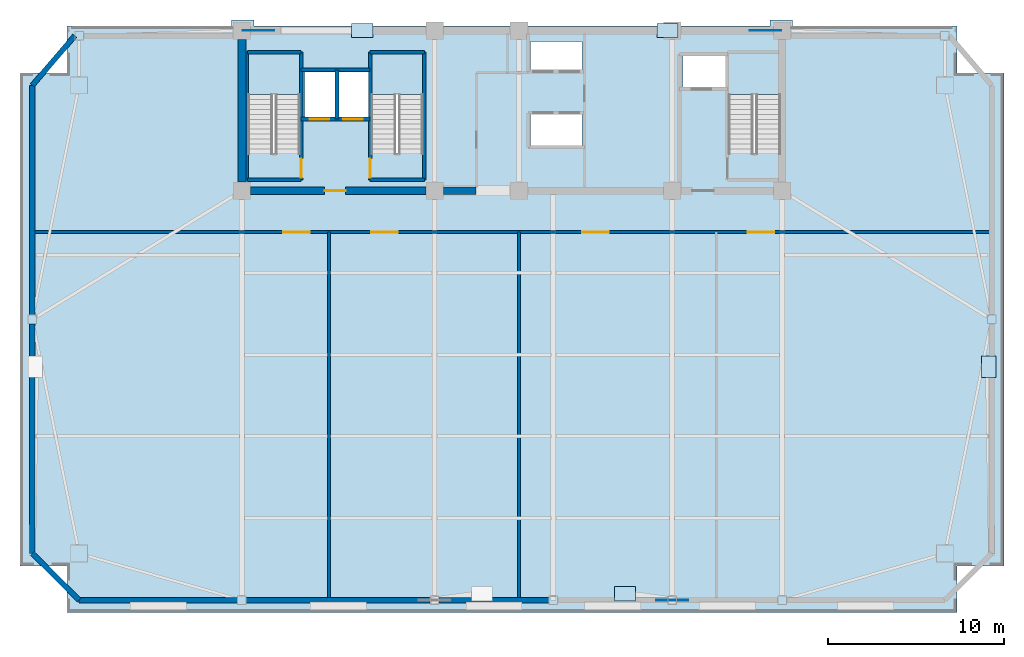
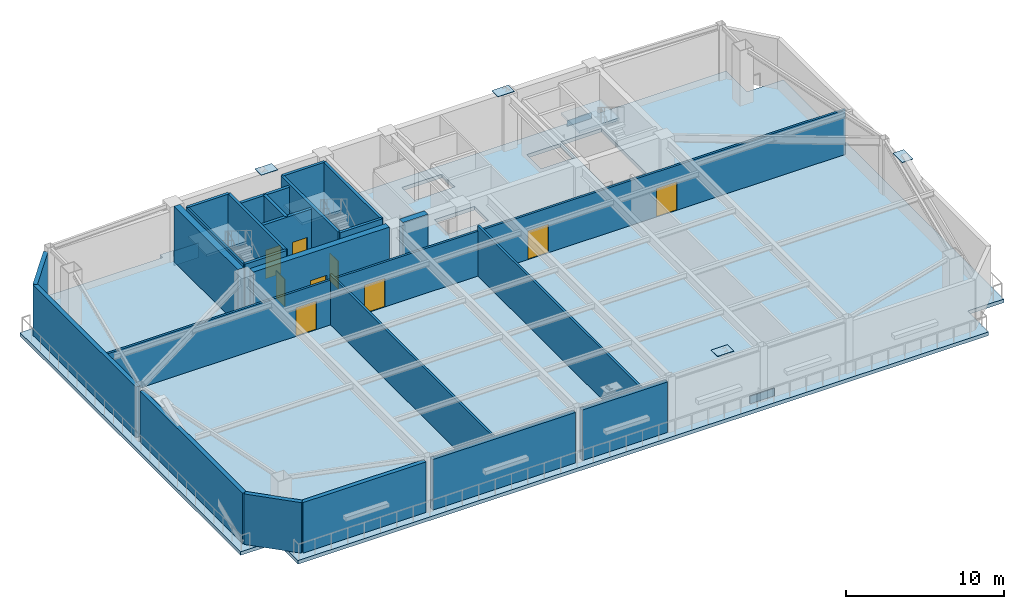
# One storey, part 2 of 9: 24 walls, 9 doors, 7 plates, 4 slabs, 9 openings, 3 elements without a shape of their own.
"""IFC4 building model written with IfcOpenShell, lengths in metres."""

from ifc_helpers import new_model, si_unit, direction, frame, frame_2d, origin, origin_2d, place, context, subcontext, project, spatial, polyline, rectangle, outline, extrude, source, transform, mapped, material, layer, layer_set, type_object, element, fill, aggregate, save


model = new_model("IFC4")

# Units and contexts
model_context = context("Model", 3, precision=1e-05, world=origin(), true_north=direction((0.0, 1.0)))
body_context = subcontext(model_context, "Body", "Model", "MODEL_VIEW")
ifc_project = project(units=[si_unit("LENGTHUNIT", "METRE"), si_unit("AREAUNIT", "SQUARE_METRE"), si_unit("VOLUMEUNIT", "CUBIC_METRE"), si_unit("PLANEANGLEUNIT", "RADIAN"), si_unit("MASSUNIT", "GRAM", prefix="KILO")], contexts=[model_context])

# Site, building, storey
site_placement = place(None, origin())
site = spatial("IfcSite", under=ifc_project, at=site_placement, CompositionType="ELEMENT")
building_placement = place(site_placement, origin())
building = spatial("IfcBuilding", under=site, at=building_placement, Name="Giltprow Tower", CompositionType="ELEMENT")
storey_placement = place(building_placement, frame((0.0, 0.0, 237.199951171875)))
storey = spatial("IfcBuildingStorey", under=building, at=storey_placement, Name="L60", CompositionType="ELEMENT", Elevation=237.199951171875)

# Slab
ifc_material_1 = material(Name="Concrete C40", Category="concrete")
ifc_layer_1 = layer(ifc_material_1, 0.280029296875, Name="Concrete C40")
ifc_layer_set_1 = layer_set([ifc_layer_1], Name="Concrete C40")
slab_type_1 = type_object("IfcSlabType", Name="SLB-REF-280", PredefinedType="FLOOR", material=ifc_layer_set_1)
slab_1_placement = place(storey_placement, frame((0.0, 0.0, -0.280029296875)))
element("IfcSlab", 1, at=slab_1_placement, inside=storey, type_object=slab_type_1, Name="L60 Structural Composite Floor Slab", PredefinedType="FLOOR", context=body_context, shape_type="SweptSolid", body=[
    extrude(outline(polyline([(63.152099609375, 44.138916015625), (63.152099609375, 16.14306640625), (60.490966796875, 16.14306640625), (60.490966796875, 13.48193359375), (9.908935546875, 13.48193359375), (9.908935546875, 16.14306640625), (7.248046875, 16.14306640625), (7.248046875, 44.138916015625), (9.908935546875, 44.138916015625), (9.908935546875, 46.800048828125), (19.25, 46.800048828125), (19.25, 47.14990234375), (20.550048828125, 47.14990234375), (20.550048828125, 46.800048828125), (49.85009765625, 46.800048828125), (49.85009765625, 47.14990234375), (51.14990234375, 47.14990234375), (51.14990234375, 46.800048828125), (60.490966796875, 46.800048828125), (60.490966796875, 44.138916015625), (63.152099609375, 44.138916015625)]), holes=[polyline([(39.18994140625, 41.800048828125), (36.239990234375, 41.800048828125), (36.239990234375, 40.0), (39.18994140625, 40.0), (39.18994140625, 41.800048828125)]), polyline([(23.159912109375, 45.25), (20.199951171875, 45.25), (20.199951171875, 39.570068359375), (23.159912109375, 39.570068359375), (23.159912109375, 45.25)]), polyline([(30.159912109375, 45.25), (27.199951171875, 45.25), (27.199951171875, 39.570068359375), (30.159912109375, 39.570068359375), (30.159912109375, 45.25)]), polyline([(50.4599609375, 45.25), (47.5, 45.25), (47.5, 39.570068359375), (50.4599609375, 39.570068359375), (50.4599609375, 45.25)]), polyline([(25.169921875, 44.199951171875), (23.449951171875, 44.199951171875), (23.449951171875, 41.60009765625), (25.169921875, 41.60009765625), (25.169921875, 44.199951171875)]), polyline([(27.10009765625, 44.199951171875), (25.35009765625, 44.199951171875), (25.35009765625, 41.60009765625), (27.10009765625, 41.60009765625), (27.10009765625, 44.199951171875)]), polyline([(47.3798828125, 45.10009765625), (44.919921875, 45.10009765625), (44.919921875, 43.300048828125), (47.3798828125, 43.300048828125), (47.3798828125, 45.10009765625)]), polyline([(39.18994140625, 45.919921875), (36.239990234375, 45.919921875), (36.239990234375, 44.300048828125), (39.18994140625, 44.300048828125), (39.18994140625, 45.919921875)])]), origin(), (0.0, 0.0, 1.0), 0.280029296875),
])

# Stair, slab
stair_type_1 = type_object("IfcStairType", Name="STR-ST-1", PredefinedType="HALF_TURN_STAIR", material=ifc_material_1)
stair_1_placement = place(storey_placement, origin())
stair_1 = element("IfcStair", 2, at=stair_1_placement, inside=storey, type_object=stair_type_1, Name="L60 Core Exit Stair ST-1", PredefinedType="HALF_TURN_STAIR")
ifc_layer_2 = layer(ifc_material_1, 0.179931640625, Name="Concrete C40")
ifc_layer_set_2 = layer_set([ifc_layer_2], Name="Concrete C40")
slab_type_2 = type_object("IfcSlabType", Name="SLD-ST-1", PredefinedType="LANDING", material=ifc_layer_set_2)
slab_2_placement = place(storey_placement, frame((0.0, 0.0, 2.070068359375)))
slab_2 = element("IfcSlab", 3, at=slab_2_placement, type_object=slab_type_2, Name="ST-1 landing 1", PredefinedType="LANDING", context=body_context, shape_type="SweptSolid", body=[
    extrude(outline(polyline([(23.159912109375, 42.909912109375), (23.159912109375, 45.25), (20.199951171875, 45.25), (20.199951171875, 42.909912109375), (23.159912109375, 42.909912109375)])), origin(), (0.0, 0.0, 1.0), 0.179931640625),
])
aggregate(stair_1, [slab_2])

stair_type_2 = type_object("IfcStairType", Name="STR-ST-2", PredefinedType="HALF_TURN_STAIR", material=ifc_material_1)
stair_2_placement = place(storey_placement, origin())
stair_2 = element("IfcStair", 4, at=stair_2_placement, inside=storey, type_object=stair_type_2, Name="L60 Core Exit Stair ST-2", PredefinedType="HALF_TURN_STAIR")
ifc_layer_3 = layer(ifc_material_1, 0.18798828125, Name="Concrete C40")
ifc_layer_set_3 = layer_set([ifc_layer_3], Name="Concrete C40")
slab_type_3 = type_object("IfcSlabType", Name="SLD-ST-2", PredefinedType="LANDING", material=ifc_layer_set_3)
slab_3_placement = place(storey_placement, frame((0.0, 0.0, 2.06201171875)))
slab_3 = element("IfcSlab", 5, at=slab_3_placement, type_object=slab_type_3, Name="ST-2 landing 1", PredefinedType="LANDING", context=body_context, shape_type="SweptSolid", body=[
    extrude(outline(polyline([(30.159912109375, 42.909912109375), (30.159912109375, 45.25), (27.199951171875, 45.25), (27.199951171875, 42.909912109375), (30.159912109375, 42.909912109375)])), origin(), (0.0, 0.0, 1.0), 0.18798828125),
])
aggregate(stair_2, [slab_3])

stair_type_3 = type_object("IfcStairType", Name="STR-ST-3", PredefinedType="HALF_TURN_STAIR", material=ifc_material_1)
stair_3_placement = place(storey_placement, origin())
stair_3 = element("IfcStair", 6, at=stair_3_placement, inside=storey, type_object=stair_type_3, Name="L60 Core Exit Stair ST-3", PredefinedType="HALF_TURN_STAIR")
ifc_layer_4 = layer(ifc_material_1, 0.196044921875, Name="Concrete C40")
ifc_layer_set_4 = layer_set([ifc_layer_4], Name="Concrete C40")
slab_type_4 = type_object("IfcSlabType", Name="SLD-ST-3", PredefinedType="LANDING", material=ifc_layer_set_4)
slab_4_placement = place(storey_placement, frame((0.0, 0.0, 2.053955078125)))
slab_4 = element("IfcSlab", 7, at=slab_4_placement, type_object=slab_type_4, Name="ST-3 landing 1", PredefinedType="LANDING", context=body_context, shape_type="SweptSolid", body=[
    extrude(outline(polyline([(50.4599609375, 42.909912109375), (50.4599609375, 45.25), (47.5, 45.25), (47.5, 42.909912109375), (50.4599609375, 42.909912109375)])), origin(), (0.0, 0.0, 1.0), 0.196044921875),
])
aggregate(stair_3, [slab_4])

# Plates
ifc_material_2 = material(Name="Structural steel Q420GJC", Category="steel")
plate_type_1 = type_object("IfcPlateType", Name="PLT-NODE-MBN1", PredefinedType="USERDEFINED", material=ifc_material_2)
shared_shape_1 = source(origin(), body_context, "Body", "SweptSolid", [
    extrude(rectangle(XDim=1.800048828125, YDim=0.050048828125, at=origin_2d()), origin(), (0.0, 0.0, 1.0), 1.14990234375),
])
for number, where, z_axis, x_axis, name in (
    (8, (44.300048828125, 14.181884765625, -0.574951171875), (0.0, 0.0, 1.0), (1.0, 0.0, 0.0), "Mega-Brace Node L60-S-RA"),
    (9, (20.800048828125, 46.550048828125, -0.71484375), (0.0, 0.0, 1.0), (1.0, 0.0, 0.0), "Mega-Brace Node L60-N-LA"),
    (10, (49.60009765625, 46.550048828125, -0.71484375), (0.0, 0.0, 1.0), (1.0, 0.0, 0.0), "Mega-Brace Node L60-N-RA"),
):
    element("IfcPlate", number, at=place(storey_placement, frame(where, z_axis=z_axis, x_axis=x_axis)), inside=storey, type_object=plate_type_1, Name=name, ObjectType="GUSSET", PredefinedType="USERDEFINED", context=body_context, shape_type="MappedRepresentation", body=[
        mapped(shared_shape_1, transform((0.0, 0.0, 0.0), x_axis=(1.0, 0.0, 0.0), y_axis=(0.0, 1.0, 0.0), z_axis=(0.0, 0.0, 1.0), scale=1.0)),
    ])
plate_type_2 = type_object("IfcPlateType", Name="PLT-CAP-SEAL", PredefinedType="USERDEFINED", material=ifc_material_2)
shared_shape_2 = source(origin(), body_context, "Body", "SweptSolid", [
    extrude(rectangle(XDim=1.199951171875, YDim=0.800048828125, at=origin_2d()), origin(), (0.0, 0.0, 1.0), 0.034912109375),
])
for number, where, z_axis, x_axis, name in (
    (11, (41.612060546875, 14.552978515625, 4.482421875), (0.0, 0.0, 1.0), (1.0, 0.0, 0.0), "Mega-Brace Node L60-S-RB"),
    (12, (26.694091796875, 46.550048828125, 4.3427734375), (0.0, 0.0, 1.0), (1.0, 0.0, 0.0), "Mega-Brace Node L60-N-LB"),
    (13, (44.02490234375, 46.550048828125, 4.3427734375), (0.0, 0.0, 1.0), (1.0, 0.0, 0.0), "Mega-Brace Node L60-N-RB"),
    (14, (62.287109375, 27.452880859375, 4.482421875), (0.0, 0.0, 1.0), (0.0, 1.0, 0.0), "Mega-Brace Node L60-E-DB"),
):
    element("IfcPlate", number, at=place(storey_placement, frame(where, z_axis=z_axis, x_axis=x_axis)), inside=storey, type_object=plate_type_2, Name=name, ObjectType="SPLICE", PredefinedType="USERDEFINED", context=body_context, shape_type="MappedRepresentation", body=[
        mapped(shared_shape_2, transform((0.0, 0.0, 0.0), x_axis=(1.0, 0.0, 0.0), y_axis=(0.0, 1.0, 0.0), z_axis=(0.0, 0.0, 1.0), scale=1.0)),
    ])

# Walls
ifc_material_3 = material(Name="Precast concrete C40", Category="concrete")
ifc_layer_5 = layer(ifc_material_3, 0.300048828125, Name="Precast concrete C40")
ifc_layer_set_5 = layer_set([ifc_layer_5], Name="Precast concrete C40")
wall_type_1 = type_object("IfcWallType", Name="EW-NOTCH-CHAMFER-300", PredefinedType="SOLIDWALL", material=ifc_layer_set_5)
wall_1_placement = place(storey_placement, frame((7.947998046875, 16.843017578125, 0.0), z_axis=(0.0, 0.0, 1.0), x_axis=(0.707074342864, -0.707139218021, 0.0)))
element("IfcWall", 15, at=wall_1_placement, inside=storey, type_object=wall_type_1, Name="L60 Corner Notch Wall SW", PredefinedType="SOLIDWALL", context=body_context, shape_type="SweptSolid", body=[
    extrude(rectangle(XDim=3.76318359375, YDim=0.300048828125, at=frame_2d((1.881591796875, 0.0))), origin(), (0.0, 0.0, 1.0), 3.9150390625),
])
wall_2_placement = place(storey_placement, frame((10.35888671875, 46.25, 0.0), z_axis=(0.0, 0.0, 1.0), x_axis=(-0.651013940872, -0.759065773692, 0.0)))
element("IfcWall", 16, at=wall_2_placement, inside=storey, type_object=wall_type_1, Name="L60 Corner Notch Wall NW", PredefinedType="SOLIDWALL", context=body_context, shape_type="SweptSolid", body=[
    extrude(rectangle(XDim=3.703369140625, YDim=0.300048828125, at=frame_2d((1.8515625, 0.0))), origin(), (0.0, 0.0, 1.0), 3.9150390625),
])
ifc_layer_6 = layer(ifc_material_3, 0.300048828125, Name="Precast concrete C40")
ifc_layer_set_6 = layer_set([ifc_layer_6], Name="Precast concrete C40")
wall_type_2 = type_object("IfcWallType", Name="EW-REF-LOUVRE-300", PredefinedType="SOLIDWALL", material=ifc_layer_set_6)
wall_3_placement = place(storey_placement, frame((10.60888671875, 14.181884765625, 0.0), z_axis=(0.0, 0.0, 1.0), x_axis=(1.0, 0.0, 0.0)))
element("IfcWall", 17, at=wall_3_placement, inside=storey, type_object=wall_type_2, Name="L60 South Expressed Frame Wall 1", PredefinedType="SOLIDWALL", context=body_context, shape_type="SweptSolid", body=[
    extrude(rectangle(XDim=8.9912109375, YDim=0.300048828125, at=frame_2d((4.49560546875, 0.0))), origin(), (0.0, 0.0, 1.0), 3.9150390625),
])
wall_4_placement = place(storey_placement, frame((20.10009765625, 14.181884765625, 0.0), z_axis=(0.0, 0.0, 1.0), x_axis=(1.0, 0.0, 0.0)))
element("IfcWall", 18, at=wall_4_placement, inside=storey, type_object=wall_type_2, Name="L60 South Expressed Frame Wall 2", PredefinedType="SOLIDWALL", context=body_context, shape_type="SweptSolid", body=[
    extrude(rectangle(XDim=10.449951171875, YDim=0.300048828125, at=frame_2d((5.22509765625, 0.0))), origin(), (0.0, 0.0, 1.0), 3.9150390625),
])
wall_5_placement = place(storey_placement, frame((31.050048828125, 14.181884765625, 0.0), z_axis=(0.0, 0.0, 1.0), x_axis=(1.0, 0.0, 0.0)))
element("IfcWall", 19, at=wall_5_placement, inside=storey, type_object=wall_type_2, Name="L60 South Expressed Frame Wall 3", PredefinedType="SOLIDWALL", context=body_context, shape_type="SweptSolid", body=[
    extrude(rectangle(XDim=6.25, YDim=0.300048828125, at=frame_2d((3.125, 0.0))), origin(), (0.0, 0.0, 1.0), 3.9150390625),
])
wall_6_placement = place(storey_placement, frame((7.947998046875, 16.843017578125, 0.0), z_axis=(0.0, 0.0, 1.0), x_axis=(0.0, 1.0, 0.0)))
element("IfcWall", 20, at=wall_6_placement, inside=storey, type_object=wall_type_2, Name="L60 W Wing Masonry Wall 1", PredefinedType="SOLIDWALL", context=body_context, shape_type="SweptSolid", body=[
    extrude(rectangle(XDim=13.048095703125, YDim=0.300048828125, at=frame_2d((6.52392578125, 0.0))), origin(), (0.0, 0.0, 1.0), 3.9150390625),
])
wall_7_placement = place(storey_placement, frame((7.947998046875, 30.39111328125, 0.0), z_axis=(0.0, 0.0, 1.0), x_axis=(0.0, 1.0, 0.0)))
element("IfcWall", 21, at=wall_7_placement, inside=storey, type_object=wall_type_2, Name="L60 W Wing Masonry Wall 2", PredefinedType="SOLIDWALL", context=body_context, shape_type="SweptSolid", body=[
    extrude(rectangle(XDim=13.0478515625, YDim=0.300048828125, at=frame_2d((6.52392578125, 0.0))), origin(), (0.0, 0.0, 1.0), 3.9150390625),
])

# Wall, openings, doors
ifc_material_4 = material(Name="Gypsum stud partition", Category="gypsum")
ifc_layer_7 = layer(ifc_material_4, 0.159912109375, Name="Gypsum stud partition")
ifc_layer_set_7 = layer_set([ifc_layer_7], Name="Gypsum stud partition")
wall_type_3 = type_object("IfcWallType", Name="IW-DEMISE-160", PredefinedType="PARTITIONING", material=ifc_layer_set_7)
wall_8_placement = place(storey_placement, frame((7.947998046875, 35.10009765625, 0.0), z_axis=(0.0, 0.0, 1.0), x_axis=(1.0, 0.0, 0.0)))
wall_8 = element("IfcWall", 22, at=wall_8_placement, inside=storey, type_object=wall_type_3, Name="L60 Refuge and Plant Corridor Wall", PredefinedType="PARTITIONING", context=body_context, shape_type="SweptSolid", body=[
    extrude(rectangle(XDim=54.50390625, YDim=0.159912109375, at=frame_2d((27.251953125, 0.0))), origin(), (0.0, 0.0, 1.0), 3.469970703125),
])
opening_1_placement = place(wall_8_placement, frame((14.251953125, 0.0, 0.0)))
opening_1 = element("IfcOpeningElement", 23, at=opening_1_placement, cuts=wall_8, Name="Opening ID25", PredefinedType="OPENING", context=body_context, shape_type="SweptSolid", body=[
    extrude(rectangle(XDim=1.5, YDim=2.199951171875, at=frame_2d((0.75, 1.10009765625))), frame((0.0, 0.08984375, 0.0), z_axis=(0.0, -1.0, 0.0), x_axis=(1.0, 0.0, 0.0)), (0.0, 0.0, 1.0), 0.179931640625),
])
opening_2_placement = place(wall_8_placement, frame((19.251953125, 0.0, 0.0)))
opening_2 = element("IfcOpeningElement", 24, at=opening_2_placement, cuts=wall_8, Name="Opening ID25", PredefinedType="OPENING", context=body_context, shape_type="SweptSolid", body=[
    extrude(rectangle(XDim=1.5, YDim=2.199951171875, at=frame_2d((0.75, 1.10009765625))), frame((0.0, 0.08984375, 0.0), z_axis=(0.0, -1.0, 0.0), x_axis=(1.0, 0.0, 0.0)), (0.0, 0.0, 1.0), 0.179931640625),
])
opening_3_placement = place(wall_8_placement, frame((31.251953125, 0.0, 0.0)))
opening_3 = element("IfcOpeningElement", 25, at=opening_3_placement, cuts=wall_8, Name="Opening ID25", PredefinedType="OPENING", context=body_context, shape_type="SweptSolid", body=[
    extrude(rectangle(XDim=1.5, YDim=2.199951171875, at=frame_2d((0.75, 1.10009765625))), frame((0.0, 0.08984375, 0.0), z_axis=(0.0, -1.0, 0.0), x_axis=(1.0, 0.0, 0.0)), (0.0, 0.0, 1.0), 0.179931640625),
])
opening_4_placement = place(wall_8_placement, frame((40.652099609375, 0.0, 0.0)))
opening_4 = element("IfcOpeningElement", 26, at=opening_4_placement, cuts=wall_8, Name="Opening ID25", PredefinedType="OPENING", context=body_context, shape_type="SweptSolid", body=[
    extrude(rectangle(XDim=1.5, YDim=2.199951171875, at=frame_2d((0.75, 1.10009765625))), frame((0.0, 0.08984375, 0.0), z_axis=(0.0, -1.0, 0.0), x_axis=(1.0, 0.0, 0.0)), (0.0, 0.0, 1.0), 0.179931640625),
])
ifc_material_5 = material(Name="Steel fire leaf", Category="steel")
door_type_1 = type_object("IfcDoorType", Name="DR-PLANT-1500", OperationType="DOUBLE_SWING_LEFT", PredefinedType="DOOR", material=ifc_material_5)
shared_shape_3 = source(origin(), body_context, "Body", "SweptSolid", [
    extrude(rectangle(XDim=1.5, YDim=2.199951171875, at=frame_2d((0.75, 1.10009765625))), frame((0.0, 0.02490234375, 0.0), z_axis=(0.0, -1.0, 0.0), x_axis=(1.0, 0.0, 0.0)), (0.0, 0.0, 1.0), 0.050048828125),
])
door_1_placement = place(opening_1_placement, origin())
door_1 = element("IfcDoor", 27, at=door_1_placement, inside=storey, type_object=door_type_1, Name="L60 Pressurized Fire Refuge Holding Area West Door", OperationType="DOUBLE_SWING_LEFT", OverallHeight=2.199951171875, OverallWidth=1.5, PredefinedType="DOOR", context=body_context, shape_type="MappedRepresentation", body=[
    mapped(shared_shape_3, transform((0.0, 0.0, 0.0), x_axis=(1.0, 0.0, 0.0), y_axis=(0.0, 1.0, 0.0), z_axis=(0.0, 0.0, 1.0), scale=1.0)),
])
fill(opening_1, door_1)
door_2_placement = place(opening_2_placement, origin())
door_2 = element("IfcDoor", 28, at=door_2_placement, inside=storey, type_object=door_type_1, Name="L60 Zone Air Handling and Smoke Dampers Plant Door", OperationType="DOUBLE_SWING_LEFT", OverallHeight=2.199951171875, OverallWidth=1.5, PredefinedType="DOOR", context=body_context, shape_type="MappedRepresentation", body=[
    mapped(shared_shape_3, transform((0.0, 0.0, 0.0), x_axis=(1.0, 0.0, 0.0), y_axis=(0.0, 1.0, 0.0), z_axis=(0.0, 0.0, 1.0), scale=1.0)),
])
fill(opening_2, door_2)
door_3_placement = place(opening_3_placement, origin())
door_3 = element("IfcDoor", 29, at=door_3_placement, inside=storey, type_object=door_type_1, Name="L60 High-Zone Heat Exchanger and Pump Plant Door", OperationType="DOUBLE_SWING_LEFT", OverallHeight=2.199951171875, OverallWidth=1.5, PredefinedType="DOOR", context=body_context, shape_type="MappedRepresentation", body=[
    mapped(shared_shape_3, transform((0.0, 0.0, 0.0), x_axis=(1.0, 0.0, 0.0), y_axis=(0.0, 1.0, 0.0), z_axis=(0.0, 0.0, 1.0), scale=1.0)),
])
fill(opening_3, door_3)
door_4_placement = place(opening_4_placement, origin())
door_4 = element("IfcDoor", 30, at=door_4_placement, inside=storey, type_object=door_type_1, Name="L60 Pressurized Fire Refuge Holding Area East Door", OperationType="DOUBLE_SWING_LEFT", OverallHeight=2.199951171875, OverallWidth=1.5, PredefinedType="DOOR", context=body_context, shape_type="MappedRepresentation", body=[
    mapped(shared_shape_3, transform((0.0, 0.0, 0.0), x_axis=(1.0, 0.0, 0.0), y_axis=(0.0, 1.0, 0.0), z_axis=(0.0, 0.0, 1.0), scale=1.0)),
])
fill(opening_4, door_4)

# Walls
for number, where, z_axis, x_axis, name in (
    (31, (24.800048828125, 14.181884765625, 0.0), (0.0, 0.0, 1.0), (0.0, 1.0, 0.0), "L60 Refuge Compartment Wall 1"),
    (32, (35.60009765625, 14.181884765625, 0.0), (0.0, 0.0, 1.0), (0.0, 1.0, 0.0), "L60 Refuge Compartment Wall 2"),
):
    element("IfcWall", number, at=place(storey_placement, frame(where, z_axis=z_axis, x_axis=x_axis)), inside=storey, type_object=wall_type_3, Name=name, PredefinedType="PARTITIONING", context=body_context, shape_type="SweptSolid", body=[
        extrude(rectangle(XDim=20.918212890625, YDim=0.159912109375, at=frame_2d((10.458984375, 0.0))), origin(), (0.0, 0.0, 1.0), 3.8701171875),
    ])

# Wall, openings, doors
ifc_layer_8 = layer(ifc_material_1, 0.219970703125, Name="Concrete C40")
ifc_layer_set_8 = layer_set([ifc_layer_8], Name="Concrete C40")
wall_type_4 = type_object("IfcWallType", Name="IW-SHAFT-220", PredefinedType="SOLIDWALL", material=ifc_layer_set_8)
wall_9_placement = place(storey_placement, frame((23.219970703125, 41.52001953125, 0.0), z_axis=(0.0, 0.0, 1.0), x_axis=(1.0, 0.0, 0.0)))
wall_9 = element("IfcWall", 33, at=wall_9_placement, inside=storey, type_object=wall_type_4, Name="L60 FFL1 and Service Lift Front Wall", PredefinedType="SOLIDWALL", context=body_context, shape_type="SweptSolid", body=[
    extrude(rectangle(XDim=3.919921875, YDim=0.219970703125, at=frame_2d((1.9599609375, 0.0))), origin(), (0.0, 0.0, 1.0), 4.28515625),
])
opening_5_placement = place(wall_9_placement, frame((0.5, 0.0, 0.0)))
opening_5 = element("IfcOpeningElement", 34, at=opening_5_placement, cuts=wall_9, Name="Opening LD-11", PredefinedType="OPENING", context=body_context, shape_type="SweptSolid", body=[
    extrude(rectangle(XDim=1.10009765625, YDim=2.199951171875, at=frame_2d((0.550048828125, 1.10009765625))), frame((0.0, 0.119873046875, 0.0), z_axis=(0.0, -1.0, 0.0), x_axis=(1.0, 0.0, 0.0)), (0.0, 0.0, 1.0), 0.239990234375),
])
opening_6_placement = place(wall_9_placement, frame((2.39990234375, 0.0, 0.0)))
opening_6 = element("IfcOpeningElement", 35, at=opening_6_placement, cuts=wall_9, Name="Opening LD-11", PredefinedType="OPENING", context=body_context, shape_type="SweptSolid", body=[
    extrude(rectangle(XDim=1.10009765625, YDim=2.199951171875, at=frame_2d((0.550048828125, 1.10009765625))), frame((0.0, 0.119873046875, 0.0), z_axis=(0.0, -1.0, 0.0), x_axis=(1.0, 0.0, 0.0)), (0.0, 0.0, 1.0), 0.239990234375),
])
ifc_material_6 = material(Name="Stainless steel", Category="steel")
door_type_2 = type_object("IfcDoorType", Name="DR-LIFT-LD1100", OperationType="SLIDING_TO_LEFT", PredefinedType="DOOR", material=ifc_material_6)
shared_shape_4 = source(origin(), body_context, "Body", "SweptSolid", [
    extrude(rectangle(XDim=1.10009765625, YDim=2.199951171875, at=frame_2d((0.550048828125, 1.10009765625))), frame((0.0, 0.02490234375, 0.0), z_axis=(0.0, -1.0, 0.0), x_axis=(1.0, 0.0, 0.0)), (0.0, 0.0, 1.0), 0.050048828125),
])
door_5_placement = place(opening_5_placement, origin())
door_5 = element("IfcDoor", 36, at=door_5_placement, inside=storey, type_object=door_type_2, Name="L60 FFL1 Landing Door", OperationType="SLIDING_TO_LEFT", OverallHeight=2.199951171875, OverallWidth=1.10009765625, PredefinedType="DOOR", context=body_context, shape_type="MappedRepresentation", body=[
    mapped(shared_shape_4, transform((0.0, 0.0, 0.0), x_axis=(1.0, 0.0, 0.0), y_axis=(0.0, 1.0, 0.0), z_axis=(0.0, 0.0, 1.0), scale=1.0)),
])
fill(opening_5, door_5)
door_6_placement = place(opening_6_placement, origin())
door_6 = element("IfcDoor", 37, at=door_6_placement, inside=storey, type_object=door_type_2, Name="L60 SVL1 Landing Door", OperationType="SLIDING_TO_LEFT", OverallHeight=2.199951171875, OverallWidth=1.10009765625, PredefinedType="DOOR", context=body_context, shape_type="MappedRepresentation", body=[
    mapped(shared_shape_4, transform((0.0, 0.0, 0.0), x_axis=(1.0, 0.0, 0.0), y_axis=(0.0, 1.0, 0.0), z_axis=(0.0, 0.0, 1.0), scale=1.0)),
])
fill(opening_6, door_6)

# Walls
wall_10_placement = place(storey_placement, frame((25.260009765625, 41.52001953125, 0.0), z_axis=(0.0, 0.0, 1.0), x_axis=(0.0, 1.0, 0.0)))
element("IfcWall", 38, at=wall_10_placement, inside=storey, type_object=wall_type_4, Name="L60 FFL1-SVL1 Shaft Divider", PredefinedType="SOLIDWALL", context=body_context, shape_type="SweptSolid", body=[
    extrude(rectangle(XDim=2.800048828125, YDim=0.219970703125, at=frame_2d((1.39990234375, 0.0))), origin(), (0.0, 0.0, 1.0), 4.28515625),
])
wall_11_placement = place(storey_placement, frame((23.219970703125, 44.320068359375, 0.0), z_axis=(0.0, 0.0, 1.0), x_axis=(1.0, 0.0, 0.0)))
element("IfcWall", 39, at=wall_11_placement, inside=storey, type_object=wall_type_4, Name="L60 FFL1-SVL1 Back Shaft Wall", PredefinedType="SOLIDWALL", context=body_context, shape_type="SweptSolid", body=[
    extrude(rectangle(XDim=3.919921875, YDim=0.219970703125, at=frame_2d((1.9599609375, 0.0))), origin(), (0.0, 0.0, 1.0), 4.28515625),
])
ifc_material_7 = material(Name="Concrete C45", Category="concrete")
ifc_layer_9 = layer(ifc_material_7, 0.139892578125, Name="Concrete C45")
ifc_layer_set_9 = layer_set([ifc_layer_9], Name="Concrete C45")
wall_type_5 = type_object("IfcWallType", Name="IW-STAIR-140", PredefinedType="SOLIDWALL", material=ifc_layer_set_9)
wall_12_placement = place(storey_placement, frame((20.169921875, 38.070068359375, 0.0), z_axis=(0.0, 0.0, 1.0), x_axis=(0.0, 1.0, 0.0)))
element("IfcWall", 40, at=wall_12_placement, inside=storey, type_object=wall_type_5, Name="L60 Stair ST-1 West Bearing Wall", PredefinedType="SOLIDWALL", context=body_context, shape_type="SweptSolid", body=[
    extrude(rectangle(XDim=7.25, YDim=0.139892578125, at=frame_2d((3.625, 0.0))), origin(), (0.0, 0.0, 1.0), 4.5),
])

# Wall, opening, door
ifc_layer_10 = layer(ifc_material_1, 0.199951171875, Name="Concrete C40")
ifc_layer_set_10 = layer_set([ifc_layer_10], Name="Concrete C40")
wall_type_6 = type_object("IfcWallType", Name="IW-STAIR-200", PredefinedType="SOLIDWALL", material=ifc_layer_set_10)
wall_13_placement = place(storey_placement, frame((23.219970703125, 38.070068359375, 0.0), z_axis=(0.0, 0.0, 1.0), x_axis=(0.0, 1.0, 0.0)))
wall_13 = element("IfcWall", 41, at=wall_13_placement, inside=storey, type_object=wall_type_6, Name="L60 Stair ST-1 East Bearing Wall", PredefinedType="SOLIDWALL", context=body_context, shape_type="SweptSolid", body=[
    extrude(rectangle(XDim=7.25, YDim=0.199951171875, at=frame_2d((3.625, 0.0))), origin(), (0.0, 0.0, 1.0), 4.5),
])
opening_7_placement = place(wall_13_placement, frame((0.110107421875, 0.0, 0.0)))
opening_7 = element("IfcOpeningElement", 42, at=opening_7_placement, cuts=wall_13, Name="Opening ID33", PredefinedType="OPENING", context=body_context, shape_type="SweptSolid", body=[
    extrude(rectangle(XDim=1.10009765625, YDim=2.14990234375, at=frame_2d((0.550048828125, 1.074951171875))), frame((0.0, 0.10986328125, 0.0), z_axis=(0.0, -1.0, 0.0), x_axis=(1.0, 0.0, 0.0)), (0.0, 0.0, 1.0), 0.219970703125),
])
door_type_3 = type_object("IfcDoorType", Name="DR-STAIR-1100", OperationType="SINGLE_SWING_LEFT", PredefinedType="DOOR", material=ifc_material_5)
shared_shape_5 = source(origin(), body_context, "Body", "SweptSolid", [
    extrude(rectangle(XDim=1.10009765625, YDim=2.14990234375, at=frame_2d((0.550048828125, 1.074951171875))), frame((0.0, 0.02490234375, 0.0), z_axis=(0.0, -1.0, 0.0), x_axis=(1.0, 0.0, 0.0)), (0.0, 0.0, 1.0), 0.050048828125),
])
door_7_placement = place(opening_7_placement, origin())
door_7 = element("IfcDoor", 43, at=door_7_placement, inside=storey, type_object=door_type_3, Name="L60 Stair ST-1 Fire Door", OperationType="SINGLE_SWING_RIGHT", OverallHeight=2.14990234375, OverallWidth=1.10009765625, PredefinedType="DOOR", context=body_context, shape_type="MappedRepresentation", body=[
    mapped(shared_shape_5, transform((0.0, 0.0, 0.0), x_axis=(1.0, 0.0, 0.0), y_axis=(0.0, 1.0, 0.0), z_axis=(0.0, 0.0, 1.0), scale=1.0)),
])
fill(opening_7, door_7)

# Walls
for number, where, z_axis, x_axis, name in (
    (44, (20.169921875, 45.320068359375, 0.0), (0.0, 0.0, 1.0), (1.0, 0.0, 0.0), "L60 Stair ST-1 North Bearing Wall"),
    (45, (20.169921875, 38.070068359375, 0.0), (0.0, 0.0, 1.0), (1.0, 0.0, 0.0), "L60 Stair ST-1 South Bearing Wall"),
):
    element("IfcWall", number, at=place(storey_placement, frame(where, z_axis=z_axis, x_axis=x_axis)), inside=storey, type_object=wall_type_6, Name=name, PredefinedType="SOLIDWALL", context=body_context, shape_type="SweptSolid", body=[
        extrude(rectangle(XDim=3.050048828125, YDim=0.199951171875, at=frame_2d((1.52490234375, 0.0))), origin(), (0.0, 0.0, 1.0), 4.5),
    ])

# Wall, opening, door
wall_14_placement = place(storey_placement, frame((27.139892578125, 38.070068359375, 0.0), z_axis=(0.0, 0.0, 1.0), x_axis=(0.0, 1.0, 0.0)))
wall_14 = element("IfcWall", 46, at=wall_14_placement, inside=storey, type_object=wall_type_6, Name="L60 Stair ST-2 West Bearing Wall", PredefinedType="SOLIDWALL", context=body_context, shape_type="SweptSolid", body=[
    extrude(rectangle(XDim=7.25, YDim=0.199951171875, at=frame_2d((3.625, 0.0))), origin(), (0.0, 0.0, 1.0), 4.5),
])
opening_8_placement = place(wall_14_placement, frame((0.110107421875, 0.0, 0.0)))
opening_8 = element("IfcOpeningElement", 47, at=opening_8_placement, cuts=wall_14, Name="Opening ID33", PredefinedType="OPENING", context=body_context, shape_type="SweptSolid", body=[
    extrude(rectangle(XDim=1.10009765625, YDim=2.14990234375, at=frame_2d((0.550048828125, 1.074951171875))), frame((0.0, 0.10986328125, 0.0), z_axis=(0.0, -1.0, 0.0), x_axis=(1.0, 0.0, 0.0)), (0.0, 0.0, 1.0), 0.219970703125),
])
door_8_placement = place(opening_8_placement, origin())
door_8 = element("IfcDoor", 48, at=door_8_placement, inside=storey, type_object=door_type_3, Name="L60 Stair ST-2 Fire Door", OperationType="SINGLE_SWING_LEFT", OverallHeight=2.14990234375, OverallWidth=1.10009765625, PredefinedType="DOOR", context=body_context, shape_type="MappedRepresentation", body=[
    mapped(shared_shape_5, transform((0.0, 0.0, 0.0), x_axis=(1.0, 0.0, 0.0), y_axis=(0.0, 1.0, 0.0), z_axis=(0.0, 0.0, 1.0), scale=1.0)),
])
fill(opening_8, door_8)

# Walls
wall_15_placement = place(storey_placement, frame((30.219970703125, 38.070068359375, 0.0), z_axis=(0.0, 0.0, 1.0), x_axis=(0.0, 1.0, 0.0)))
element("IfcWall", 49, at=wall_15_placement, inside=storey, type_object=wall_type_6, Name="L60 Stair ST-2 East Bearing Wall", PredefinedType="SOLIDWALL", context=body_context, shape_type="SweptSolid", body=[
    extrude(rectangle(XDim=7.25, YDim=0.199951171875, at=frame_2d((3.625, 0.0))), origin(), (0.0, 0.0, 1.0), 4.5),
])
for number, where, z_axis, x_axis, name in (
    (50, (27.139892578125, 45.320068359375, 0.0), (0.0, 0.0, 1.0), (1.0, 0.0, 0.0), "L60 Stair ST-2 North Bearing Wall"),
    (51, (27.139892578125, 38.070068359375, 0.0), (0.0, 0.0, 1.0), (1.0, 0.0, 0.0), "L60 Stair ST-2 South Bearing Wall"),
):
    element("IfcWall", number, at=place(storey_placement, frame(where, z_axis=z_axis, x_axis=x_axis)), inside=storey, type_object=wall_type_6, Name=name, PredefinedType="SOLIDWALL", context=body_context, shape_type="SweptSolid", body=[
        extrude(rectangle(XDim=3.080078125, YDim=0.199951171875, at=frame_2d((1.5400390625, 0.0))), origin(), (0.0, 0.0, 1.0), 4.5),
    ])

# Wall, opening, door
ifc_material_8 = material(Name="Concrete C50", Category="concrete")
ifc_layer_11 = layer(ifc_material_8, 0.449951171875, Name="Concrete C50")
ifc_layer_set_11 = layer_set([ifc_layer_11], Name="Concrete C50")
wall_type_7 = type_object("IfcWallType", Name="SW-INT-450-C50", PredefinedType="SHEAR", material=ifc_layer_set_11)
wall_16_placement = place(storey_placement, frame((20.35009765625, 37.449951171875, 0.0), z_axis=(0.0, 0.0, 1.0), x_axis=(1.0, 0.0, 0.0)))
wall_16 = element("IfcWall", 52, at=wall_16_placement, inside=storey, type_object=wall_type_7, Name="L60 South Rear Core Shear Wall West", PredefinedType="SHEAR", context=body_context, shape_type="SweptSolid", body=[
    extrude(rectangle(XDim=9.949951171875, YDim=0.449951171875, at=frame_2d((4.97509765625, 0.0))), origin(), (0.0, 0.0, 1.0), 4.28515625),
])
opening_9_placement = place(wall_16_placement, frame((4.199951171875, 0.0, 0.0)))
opening_9 = element("IfcOpeningElement", 53, at=opening_9_placement, cuts=wall_16, Name="Opening ID19", PredefinedType="OPENING", context=body_context, shape_type="SweptSolid", body=[
    extrude(rectangle(XDim=1.199951171875, YDim=2.14990234375, at=frame_2d((0.60009765625, 1.074951171875))), frame((0.0, 0.23486328125, 0.0), z_axis=(0.0, -1.0, 0.0), x_axis=(1.0, 0.0, 0.0)), (0.0, 0.0, 1.0), 0.469970703125),
])
door_type_4 = type_object("IfcDoorType", Name="DR-FFLOBBY-1200", OperationType="SINGLE_SWING_RIGHT", PredefinedType="DOOR", material=ifc_material_5)
shared_shape_6 = source(origin(), body_context, "Body", "SweptSolid", [
    extrude(rectangle(XDim=1.199951171875, YDim=2.14990234375, at=frame_2d((0.60009765625, 1.074951171875))), frame((0.0, 0.02490234375, 0.0), z_axis=(0.0, -1.0, 0.0), x_axis=(1.0, 0.0, 0.0)), (0.0, 0.0, 1.0), 0.050048828125),
])
door_9_placement = place(opening_9_placement, origin())
door_9 = element("IfcDoor", 54, at=door_9_placement, inside=storey, type_object=door_type_4, Name="L60 West Firefighting Lobby Entry Door", OperationType="SINGLE_SWING_LEFT", OverallHeight=2.14990234375, OverallWidth=1.199951171875, PredefinedType="DOOR", context=body_context, shape_type="MappedRepresentation", body=[
    mapped(shared_shape_6, transform((0.0, 0.0, 0.0), x_axis=(1.0, 0.0, 0.0), y_axis=(0.0, 1.0, 0.0), z_axis=(0.0, 0.0, 1.0), scale=1.0)),
])
fill(opening_9, door_9)

# Walls
wall_17_placement = place(storey_placement, frame((31.300048828125, 37.449951171875, 0.0), z_axis=(0.0, 0.0, 1.0), x_axis=(1.0, 0.0, 0.0)))
element("IfcWall", 55, at=wall_17_placement, inside=storey, type_object=wall_type_7, Name="L60 South Rear Core Shear Wall Mid-West", PredefinedType="SHEAR", context=body_context, shape_type="SweptSolid", body=[
    extrude(rectangle(XDim=1.849853515625, YDim=0.449951171875, at=frame_2d((0.9248046875, 0.0))), origin(), (0.0, 0.0, 1.0), 4.28515625),
])
wall_18_placement = place(storey_placement, frame((19.85009765625, 37.949951171875, 0.0), z_axis=(0.0, 0.0, 1.0), x_axis=(0.0, 1.0, 0.0)))
element("IfcWall", 56, at=wall_18_placement, inside=storey, type_object=wall_type_7, Name="L60 W Rear Core Shear Wall", PredefinedType="SHEAR", context=body_context, shape_type="SweptSolid", body=[
    extrude(rectangle(XDim=8.10009765625, YDim=0.449951171875, at=frame_2d((4.050048828125, 0.0))), origin(), (0.0, 0.0, 1.0), 4.28515625),
])

save(model, "model.ifc")
